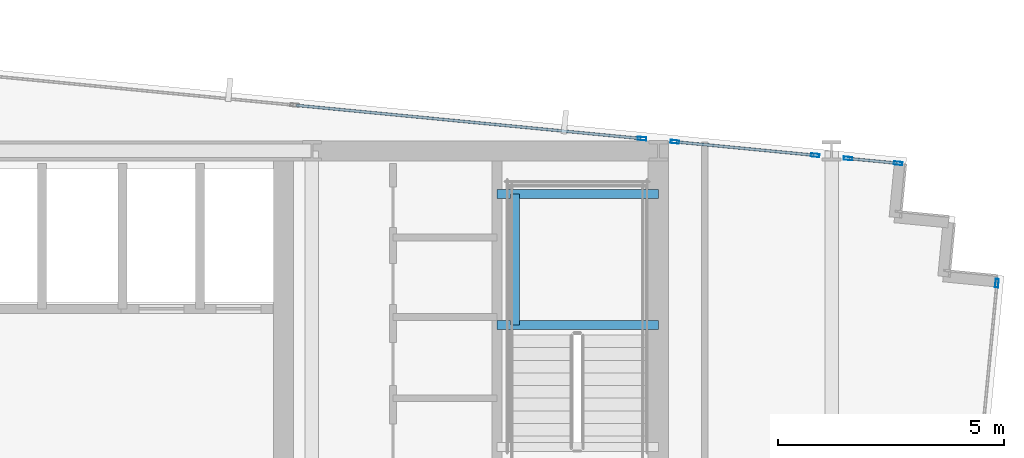
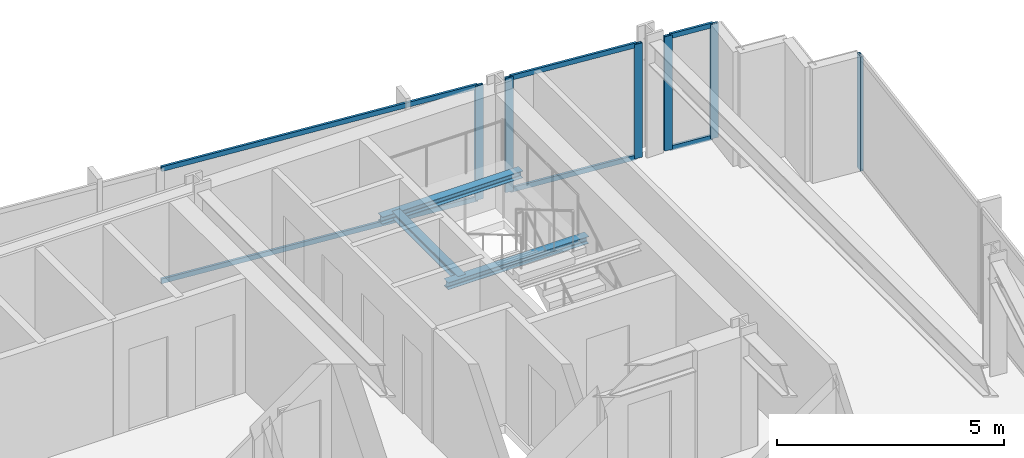
# One storey, part 27 of 37: 12 members, 3 beams, 4 elements without a shape of their own.
"""IFC4 building model written with IfcOpenShell, lengths in metres."""

from ifc_helpers import new_model, si_unit, direction, frame, origin, origin_2d, place, context, subcontext, project, spatial, hollow_rectangle, i_section, extrude, material, material_profile, profile_set, type_object, element, aggregate, save


model = new_model("IFC4")

# Units and contexts
model_context = context("Model", 3, precision=1e-05, world=origin(), true_north=direction((0.0, 1.0)))
body_context = subcontext(model_context, "Body", "Model", "MODEL_VIEW")
ifc_project = project(units=[si_unit("LENGTHUNIT", "METRE"), si_unit("AREAUNIT", "SQUARE_METRE"), si_unit("VOLUMEUNIT", "CUBIC_METRE"), si_unit("PLANEANGLEUNIT", "RADIAN"), si_unit("MASSUNIT", "GRAM", prefix="KILO")], contexts=[model_context])

# Site, building, storey
site_placement = place(None, origin())
site = spatial("IfcSite", under=ifc_project, at=site_placement, CompositionType="ELEMENT")
building_placement = place(site_placement, origin())
building = spatial("IfcBuilding", under=site, at=building_placement, Name="Yelkora Congress Tower", CompositionType="ELEMENT")
storey_placement = place(building_placement, frame((0.0, 0.0, 162.199951171875)))
storey = spatial("IfcBuildingStorey", under=building, at=storey_placement, Name="L44", CompositionType="ELEMENT", Elevation=162.199951171875)

# Beams
ifc_material_1 = material(Name="Steel S355J2", Category="steel")
ifc_material_profile_1 = material_profile(ifc_material_1, i_section(OverallWidth=0.199951171875, OverallDepth=0.18994140625, WebThickness=0.006591796875, FlangeThickness=0.010009765625, FilletRadius=0.01806640625, at=origin_2d()), Name="HEA 200")
ifc_profile_set_1 = profile_set([ifc_material_profile_1], Name="Steel S355J2")
beam_type = type_object("IfcBeamType", Name="BM-LAND-HEA200", PredefinedType="BEAM", material=ifc_profile_set_1)
for number, where, z_axis, x_axis, name in (
    (1, (50.179931640625, 42.340087890625, 1.334716796875), (1.0, 0.0, 0.0), (0.0, 1.0, 0.0), "ST-02 L44 Landing Header Beam 1S"),
    (2, (50.179931640625, 45.25, 1.334716796875), (1.0, 0.0, 0.0), (0.0, 1.0, 0.0), "ST-02 L44 Landing Header Beam 1N"),
):
    element("IfcBeam", number, at=place(storey_placement, frame(where, z_axis=z_axis, x_axis=x_axis)), inside=storey, type_object=beam_type, Name=name, PredefinedType="BEAM", context=body_context, shape_type="SweptSolid", body=[
        extrude(i_section(OverallWidth=0.199951171875, OverallDepth=0.18994140625, WebThickness=0.006591796875, FlangeThickness=0.010009765625, FilletRadius=0.01806640625, at=origin_2d()), origin(), (0.0, 0.0, 1.0), 3.580078125),
    ])
beam_placement = place(storey_placement, frame((50.580078125, 42.340087890625, 1.334716796875), z_axis=(0.0, 1.0, 0.0), x_axis=(-1.0, 0.0, 0.0)))
element("IfcBeam", 3, at=beam_placement, inside=storey, type_object=beam_type, Name="ST-02 L44 Landing Trimmer Beam 1M", PredefinedType="BEAM", context=body_context, shape_type="SweptSolid", body=[
    extrude(i_section(OverallWidth=0.199951171875, OverallDepth=0.18994140625, WebThickness=0.006591796875, FlangeThickness=0.010009765625, FilletRadius=0.01806640625, at=origin_2d()), origin(), (0.0, 0.0, 1.0), 2.909912109375),
])

# Curtain wall, member
ifc_material_2 = material(Name="Anodised aluminium and insulated glass", Category="aluminium")
curtain_wall_type = type_object("IfcCurtainWallType", Name="CW-SYS-B3", PredefinedType="NOTDEFINED", material=ifc_material_2)
curtain_wall_1_placement = place(storey_placement, origin())
curtain_wall_1 = element("IfcCurtainWall", 4, at=curtain_wall_1_placement, inside=storey, type_object=curtain_wall_type, Name="L44 Unitised Curtain Wall 10 (1)", PredefinedType="NOTDEFINED")
ifc_material_3 = material(Name="Anodised aluminium 6063-T6", Category="aluminium")
ifc_material_profile_2 = material_profile(ifc_material_3, hollow_rectangle(XDim=0.070068359375, YDim=0.18994140625, WallThickness=0.00390625, at=origin_2d()), Name="ALU 70x190x4")
ifc_profile_set_2 = profile_set([ifc_material_profile_2], Name="Anodised aluminium 6063-T6")
member_type_1 = type_object("IfcMemberType", Name="MEM-ML-B3", PredefinedType="MULLION", material=ifc_profile_set_2)
member_1_placement = place(storey_placement, frame((53.396240234375, 46.47314453125, 0.0), z_axis=(0.0, 0.0, 1.0), x_axis=(0.095844761168, 0.995396293823, 0.0)))
member_1 = element("IfcMember", 5, at=member_1_placement, type_object=member_type_1, Name="CW-B3 mullion 7", PredefinedType="MULLION", context=body_context, shape_type="SweptSolid", body=[
    extrude(hollow_rectangle(XDim=0.070068359375, YDim=0.18994140625, WallThickness=0.00390625, at=origin_2d()), origin(), (0.0, 0.0, 1.0), 3.080078125),
])

# Curtain wall, members
curtain_wall_2_placement = place(storey_placement, origin())
curtain_wall_2 = element("IfcCurtainWall", 6, at=curtain_wall_2_placement, inside=storey, type_object=curtain_wall_type, Name="L44 Unitised Curtain Wall 10 (2)", PredefinedType="NOTDEFINED")
member_2_placement = place(storey_placement, frame((54.123779296875, 46.40283203125, 0.0), z_axis=(0.0, 0.0, 1.0), x_axis=(0.095848309157, 0.995395952188, 0.0)))
member_2 = element("IfcMember", 7, at=member_2_placement, type_object=member_type_1, Name="CW-B3 mullion 1", PredefinedType="MULLION", context=body_context, shape_type="SweptSolid", body=[
    extrude(hollow_rectangle(XDim=0.070068359375, YDim=0.18994140625, WallThickness=0.00390625, at=origin_2d()), origin(), (0.0, 0.0, 1.0), 3.080078125),
])
member_3_placement = place(storey_placement, frame((57.236083984375, 46.103271484375, 0.0), z_axis=(0.0, 0.0, 1.0), x_axis=(0.095848309157, 0.995395952188, 0.0)))
member_3 = element("IfcMember", 8, at=member_3_placement, type_object=member_type_1, Name="CW-B3 mullion 2", PredefinedType="MULLION", context=body_context, shape_type="SweptSolid", body=[
    extrude(hollow_rectangle(XDim=0.070068359375, YDim=0.18994140625, WallThickness=0.00390625, at=origin_2d()), origin(), (0.0, 0.0, 1.0), 3.080078125),
])

curtain_wall_3_placement = place(storey_placement, origin())
curtain_wall_3 = element("IfcCurtainWall", 9, at=curtain_wall_3_placement, inside=storey, type_object=curtain_wall_type, Name="L44 Unitised Curtain Wall 10 (3)", PredefinedType="NOTDEFINED")
member_4_placement = place(storey_placement, frame((57.9638671875, 46.033203125, 0.0), z_axis=(0.0, 0.0, 1.0), x_axis=(0.095852281686, 0.995395569658, 0.0)))
member_4 = element("IfcMember", 10, at=member_4_placement, type_object=member_type_1, Name="CW-B3 mullion 1", PredefinedType="MULLION", context=body_context, shape_type="SweptSolid", body=[
    extrude(hollow_rectangle(XDim=0.070068359375, YDim=0.18994140625, WallThickness=0.00390625, at=origin_2d()), origin(), (0.0, 0.0, 1.0), 3.080078125),
])
member_5_placement = place(storey_placement, frame((59.073974609375, 45.92626953125, 0.0), z_axis=(0.0, 0.0, 1.0), x_axis=(0.095852281686, 0.995395569658, 0.0)))
member_5 = element("IfcMember", 11, at=member_5_placement, type_object=member_type_1, Name="CW-B3 mullion 2", PredefinedType="MULLION", context=body_context, shape_type="SweptSolid", body=[
    extrude(hollow_rectangle(XDim=0.070068359375, YDim=0.18994140625, WallThickness=0.00390625, at=origin_2d()), origin(), (0.0, 0.0, 1.0), 3.080078125),
])

# Curtain wall, member
curtain_wall_4_placement = place(storey_placement, origin())
curtain_wall_4 = element("IfcCurtainWall", 12, at=curtain_wall_4_placement, inside=storey, type_object=curtain_wall_type, Name="L44 Unitised Curtain Wall 15", PredefinedType="NOTDEFINED")
member_6_placement = place(storey_placement, frame((61.26416015625, 43.26904296875, 0.0), z_axis=(0.0, 0.0, 1.0), x_axis=(0.995396565076, -0.095841944023, 0.0)))
member_6 = element("IfcMember", 13, at=member_6_placement, type_object=member_type_1, Name="CW-B3 mullion 1", PredefinedType="MULLION", context=body_context, shape_type="SweptSolid", body=[
    extrude(hollow_rectangle(XDim=0.070068359375, YDim=0.18994140625, WallThickness=0.00390625, at=origin_2d()), origin(), (0.0, 0.0, 1.0), 3.080078125),
])
aggregate(curtain_wall_4, [member_6])

# Member
ifc_material_profile_3 = material_profile(ifc_material_3, hollow_rectangle(XDim=0.06005859375, YDim=0.1298828125, WallThickness=0.00390625, at=origin_2d()), Name="ALU 60x130x4")
ifc_profile_set_3 = profile_set([ifc_material_profile_3], Name="Anodised aluminium 6063-T6")
member_type_2 = type_object("IfcMemberType", Name="MEM-TR-B3", PredefinedType="USERDEFINED", material=ifc_profile_set_3)
member_7_placement = place(storey_placement, frame((45.732177734375, 47.2109375, 0.030029296875), z_axis=(0.99539600529, -0.095847757686, 0.0), x_axis=(0.095847757686, 0.99539600529, 0.0)))
member_7 = element("IfcMember", 14, at=member_7_placement, type_object=member_type_2, Name="CW-B3 transom 6.1", ObjectType="TRANSOM", PredefinedType="USERDEFINED", context=body_context, shape_type="SweptSolid", body=[
    extrude(hollow_rectangle(XDim=0.06005859375, YDim=0.1298828125, WallThickness=0.00390625, at=origin_2d()), origin(), (0.0, 0.0, 1.0), 7.66455078125),
])

member_8_placement = place(storey_placement, frame((45.732177734375, 47.2109375, 3.050048828125), z_axis=(0.99539600529, -0.095847757686, 0.0), x_axis=(0.095847757686, 0.99539600529, 0.0)))
member_8 = element("IfcMember", 15, at=member_8_placement, type_object=member_type_2, Name="CW-B3 transom 6.2", ObjectType="TRANSOM", PredefinedType="USERDEFINED", context=body_context, shape_type="SweptSolid", body=[
    extrude(hollow_rectangle(XDim=0.06005859375, YDim=0.1298828125, WallThickness=0.00390625, at=origin_2d()), origin(), (0.0, 0.0, 1.0), 7.66455078125),
])

aggregate(curtain_wall_1, [member_1, member_7, member_8])

member_9_placement = place(storey_placement, frame((54.15869140625, 46.399658203125, 0.030029296875), z_axis=(0.995396582455, -0.095841763536, 0.0), x_axis=(0.095841763536, 0.995396582455, 0.0)))
member_9 = element("IfcMember", 16, at=member_9_placement, type_object=member_type_2, Name="CW-B3 transom 1.1", ObjectType="TRANSOM", PredefinedType="USERDEFINED", context=body_context, shape_type="SweptSolid", body=[
    extrude(hollow_rectangle(XDim=0.06005859375, YDim=0.1298828125, WallThickness=0.00390625, at=origin_2d()), origin(), (0.0, 0.0, 1.0), 3.056884765625),
])

member_10_placement = place(storey_placement, frame((54.15869140625, 46.399658203125, 3.050048828125), z_axis=(0.995396582455, -0.095841763536, 0.0), x_axis=(0.095841763536, 0.995396582455, 0.0)))
member_10 = element("IfcMember", 17, at=member_10_placement, type_object=member_type_2, Name="CW-B3 transom 1.2", ObjectType="TRANSOM", PredefinedType="USERDEFINED", context=body_context, shape_type="SweptSolid", body=[
    extrude(hollow_rectangle(XDim=0.06005859375, YDim=0.1298828125, WallThickness=0.00390625, at=origin_2d()), origin(), (0.0, 0.0, 1.0), 3.056884765625),
])

aggregate(curtain_wall_2, [member_2, member_3, member_9, member_10])

member_11_placement = place(storey_placement, frame((57.998779296875, 46.02978515625, 0.030029296875), z_axis=(0.995402606714, -0.095779175957, 0.0), x_axis=(0.095779175957, 0.995402606714, 0.0)))
member_11 = element("IfcMember", 18, at=member_11_placement, type_object=member_type_2, Name="CW-B3 transom 1.1", ObjectType="TRANSOM", PredefinedType="USERDEFINED", context=body_context, shape_type="SweptSolid", body=[
    extrude(hollow_rectangle(XDim=0.06005859375, YDim=0.1298828125, WallThickness=0.00390625, at=origin_2d()), origin(), (0.0, 0.0, 1.0), 1.045166015625),
])

member_12_placement = place(storey_placement, frame((57.998779296875, 46.02978515625, 3.050048828125), z_axis=(0.995402606714, -0.095779175957, 0.0), x_axis=(0.095779175957, 0.995402606714, 0.0)))
member_12 = element("IfcMember", 19, at=member_12_placement, type_object=member_type_2, Name="CW-B3 transom 1.2", ObjectType="TRANSOM", PredefinedType="USERDEFINED", context=body_context, shape_type="SweptSolid", body=[
    extrude(hollow_rectangle(XDim=0.06005859375, YDim=0.1298828125, WallThickness=0.00390625, at=origin_2d()), origin(), (0.0, 0.0, 1.0), 1.045166015625),
])

aggregate(curtain_wall_3, [member_4, member_5, member_11, member_12])

save(model, "model.ifc")
